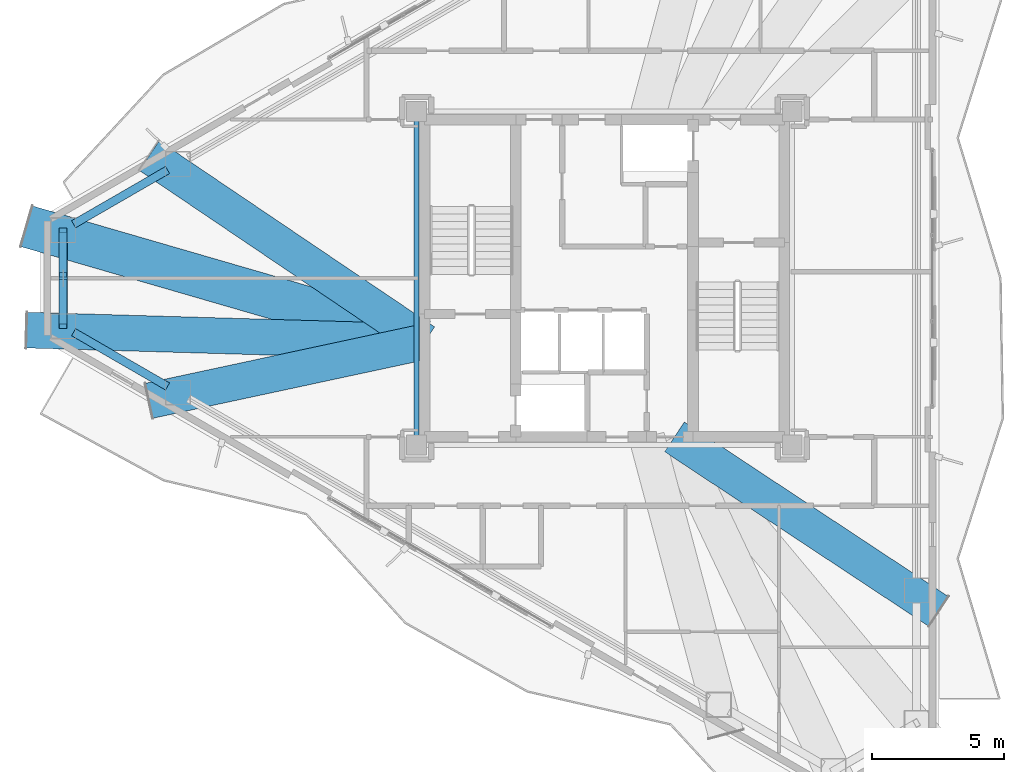
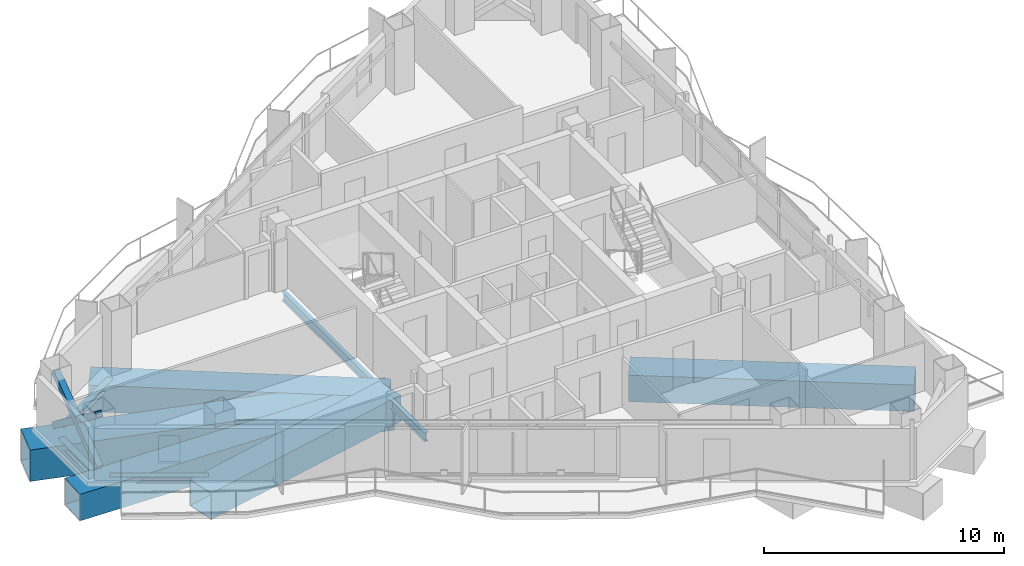
# One storey, part 7 of 22: 9 beams, 3 members.
"""IFC4 building model written with IfcOpenShell, lengths in metres."""

from ifc_helpers import new_model, si_unit, direction, frame, origin, origin_2d, place, context, subcontext, project, spatial, hollow_rectangle, i_section, extrude, material, material_profile, profile_set, type_object, element, save


model = new_model("IFC4")

# Units and contexts
model_context = context("Model", 3, precision=1e-05, world=origin(), true_north=direction((0.0, 1.0)))
body_context = subcontext(model_context, "Body", "Model", "MODEL_VIEW")
ifc_project = project(units=[si_unit("LENGTHUNIT", "METRE"), si_unit("AREAUNIT", "SQUARE_METRE"), si_unit("VOLUMEUNIT", "CUBIC_METRE"), si_unit("PLANEANGLEUNIT", "RADIAN"), si_unit("MASSUNIT", "GRAM", prefix="KILO")], contexts=[model_context])

# Site, building, storey
site_placement = place(None, origin())
site = spatial("IfcSite", under=ifc_project, at=site_placement, CompositionType="ELEMENT")
building_placement = place(site_placement, origin())
building = spatial("IfcBuilding", under=site, at=building_placement, Name="Mersakhor Tower and Convention Hall", CompositionType="ELEMENT")
storey_placement = place(building_placement, frame((0.0, 0.0, 167.39990234375)))
storey = spatial("IfcBuildingStorey", under=building, at=storey_placement, Name="L46", CompositionType="ELEMENT", Elevation=167.39990234375)

# Beams
ifc_material_1 = material(Name="Steel S355", Category="steel")
ifc_material_profile_1 = material_profile(ifc_material_1, i_section(OverallWidth=0.19140625, OverallDepth=0.4599609375, WebThickness=0.010009765625, FlangeThickness=0.01611328125, at=origin_2d()), Name="UB 457x191x82")
ifc_profile_set_1 = profile_set([ifc_material_profile_1], Name="Steel S355")
beam_type_1 = type_object("IfcBeamType", Name="BM-FB-457", PredefinedType="BEAM", material=ifc_profile_set_1)
beam_1_placement = place(storey_placement, frame((21.89990234375, 20.804931640625, -0.4599609375), z_axis=(0.0, 1.0, 0.0), x_axis=(-1.0, 0.0, 0.0)))
element("IfcBeam", 1, at=beam_1_placement, inside=storey, type_object=beam_type_1, Name="L46 Core Ring Tie Beam CRB-1", PredefinedType="BEAM", context=body_context, shape_type="SweptSolid", body=[
    extrude(i_section(OverallWidth=0.19140625, OverallDepth=0.4599609375, WebThickness=0.010009765625, FlangeThickness=0.01611328125, at=origin_2d()), origin(), (0.0, 0.0, 1.0), 11.89013671875),
])
ifc_material_2 = material(Name="Steel S355", Category="steel")
ifc_material_profile_2 = material_profile(ifc_material_2, i_section(OverallWidth=0.30908203125, OverallDepth=0.320556640625, WebThickness=0.013916015625, FlangeThickness=0.021728515625, at=origin_2d()), Name="UC 305x305x137")
ifc_profile_set_2 = profile_set([ifc_material_profile_2], Name="Steel S355")
beam_type_2 = type_object("IfcBeamType", Name="BM-SPD-UC305", PredefinedType="SPANDREL", material=ifc_profile_set_2)
for number, where, z_axis, x_axis, name in (
    (2, (8.927978515625, 28.791259765625, -0.39013671875), (0.86602202897, 0.500005845305, 0.0), (-0.500005845305, 0.86602202897, 0.0), "L46 Perimeter Spandrel Beam SPB-01"),
    (3, (12.47998046875, 22.657958984375, -0.39013671875), (-0.86602202897, 0.500005845305, 0.0), (-0.500005845305, -0.86602202897, 0.0), "L46 Perimeter Spandrel Beam SPB-11"),
):
    element("IfcBeam", number, at=place(storey_placement, frame(where, z_axis=z_axis, x_axis=x_axis)), inside=storey, type_object=beam_type_2, Name=name, PredefinedType="SPANDREL", context=body_context, shape_type="SweptSolid", body=[
        extrude(i_section(OverallWidth=0.30908203125, OverallDepth=0.320556640625, WebThickness=0.013916015625, FlangeThickness=0.021728515625, at=origin_2d()), origin(), (0.0, 0.0, 1.0), 4.1015625),
    ])
beam_2_placement = place(storey_placement, frame((8.533935546875, 25.39111328125, -0.39013671875), z_axis=(0.0, 1.0, 0.0), x_axis=(-1.0, 0.0, 0.0)))
element("IfcBeam", 4, at=beam_2_placement, inside=storey, type_object=beam_type_2, Name="L46 Perimeter Spandrel Beam SPB-12", PredefinedType="SPANDREL", context=body_context, shape_type="SweptSolid", body=[
    extrude(i_section(OverallWidth=0.30908203125, OverallDepth=0.320556640625, WebThickness=0.013916015625, FlangeThickness=0.021728515625, at=origin_2d()), origin(), (0.0, 0.0, 1.0), 2.7177734375),
])
ifc_material_3 = material(Name="Steel S460", Category="steel")
ifc_material_profile_3 = material_profile(ifc_material_3, hollow_rectangle(XDim=1.35009765625, YDim=1.35009765625, WallThickness=0.035888671875, at=origin_2d()), Name="SHS 1350x1350x36")
ifc_profile_set_3 = profile_set([ifc_material_profile_3], Name="Steel S460")
beam_type_3 = type_object("IfcBeamType", Name="BM-TR-BOX1350", PredefinedType="BEAM", material=ifc_profile_set_3)
beam_3_placement = place(storey_placement, frame((11.788330078125, 31.38427734375, -0.90478515625), z_axis=(0.828614790121, -0.559819193663, 0.0), x_axis=(0.559819193663, 0.828614790121, 0.0)))
element("IfcBeam", 5, at=beam_3_placement, inside=storey, type_object=beam_type_3, Name="L46 Taper Step Transfer Girder STG-02", PredefinedType="BEAM", context=body_context, shape_type="SweptSolid", body=[
    extrude(hollow_rectangle(XDim=1.35009765625, YDim=1.35009765625, WallThickness=0.035888671875, at=origin_2d()), origin(), (0.0, 0.0, 1.0), 12.565185546875),
])
beam_4_placement = place(storey_placement, frame((41.619140625, 14.161376953125, -0.90478515625), z_axis=(-0.834265845234, 0.55136240303, 0.0), x_axis=(-0.55136240303, -0.834265845234, 0.0)))
element("IfcBeam", 6, at=beam_4_placement, inside=storey, type_object=beam_type_3, Name="L46 Taper Step Transfer Girder STG-07", PredefinedType="BEAM", context=body_context, shape_type="SweptSolid", body=[
    extrude(hollow_rectangle(XDim=1.35009765625, YDim=1.35009765625, WallThickness=0.035888671875, at=origin_2d()), origin(), (0.0, 0.0, 1.0), 11.94970703125),
])
beam_5_placement = place(storey_placement, frame((11.788330078125, 22.11572265625, -0.90478515625), z_axis=(0.977738620984, 0.209826568945, 0.0), x_axis=(-0.209826568945, 0.977738620984, 0.0)))
element("IfcBeam", 7, at=beam_5_placement, inside=storey, type_object=beam_type_3, Name="L46 Taper Step Transfer Girder STG-11", PredefinedType="BEAM", context=body_context, shape_type="SweptSolid", body=[
    extrude(hollow_rectangle(XDim=1.35009765625, YDim=1.35009765625, WallThickness=0.035888671875, at=origin_2d()), origin(), (0.0, 0.0, 1.0), 10.648681640625),
])
beam_6_placement = place(storey_placement, frame((7.160400390625, 24.78759765625, -0.90478515625), z_axis=(0.999577155327, -0.029077664075, 0.0), x_axis=(0.029077664075, 0.999577155327, 0.0)))
element("IfcBeam", 8, at=beam_6_placement, inside=storey, type_object=beam_type_3, Name="L46 Taper Step Transfer Girder STG-12", PredefinedType="BEAM", context=body_context, shape_type="SweptSolid", body=[
    extrude(hollow_rectangle(XDim=1.35009765625, YDim=1.35009765625, WallThickness=0.035888671875, at=origin_2d()), origin(), (0.0, 0.0, 1.0), 15.0458984375),
])
ifc_material_4 = material(Name="Steel S460", Category="steel")
ifc_material_profile_4 = material_profile(ifc_material_4, hollow_rectangle(XDim=1.60009765625, YDim=1.60009765625, WallThickness=0.0400390625, at=origin_2d()), Name="SHS 1600x1600x40")
ifc_profile_set_4 = profile_set([ifc_material_profile_4], Name="Steel S460")
beam_type_4 = type_object("IfcBeamType", Name="BM-TR-BOX1600", PredefinedType="BEAM", material=ifc_profile_set_4)
beam_7_placement = place(storey_placement, frame((7.160400390625, 28.71240234375, -1.02978515625), z_axis=(0.960414874259, -0.278573633539, 0.0), x_axis=(0.278573633539, 0.960414874259, 0.0)))
element("IfcBeam", 9, at=beam_7_placement, inside=storey, type_object=beam_type_4, Name="L46 Taper Step Transfer Girder STG-01", PredefinedType="BEAM", context=body_context, shape_type="SweptSolid", body=[
    extrude(hollow_rectangle(XDim=1.60009765625, YDim=1.60009765625, WallThickness=0.0400390625, at=origin_2d()), origin(), (0.0, 0.0, 1.0), 15.659423828125),
])

# Members
ifc_material_5 = material(Name="Steel S355", Category="steel")
ifc_material_profile_5 = material_profile(ifc_material_5, hollow_rectangle(XDim=0.300048828125, YDim=0.300048828125, WallThickness=0.01611328125, at=origin_2d()), Name="SHS 300x300x16")
ifc_profile_set_5 = profile_set([ifc_material_profile_5], Name="Steel S355")
member_type = type_object("IfcMemberType", Name="MB-BRC-SHS300", PredefinedType="BRACE", material=ifc_profile_set_5)
member_placement = place(storey_placement, frame((8.533935546875, 24.936279296875, 0.150146484375), z_axis=(0.0, 0.800064612236, 0.599913840687), x_axis=(-1.0, 0.0, 0.0)))
element("IfcMember", 10, at=member_placement, inside=storey, type_object=member_type, Name="L46 Chamfer Braced Frame Diagonal CB-3A", PredefinedType="BRACE", context=body_context, shape_type="SweptSolid", body=[
    extrude(hollow_rectangle(XDim=0.300048828125, YDim=0.300048828125, WallThickness=0.01611328125, at=origin_2d()), origin(), (0.0, 0.0, 1.0), 4.533935546875),
])
for number, where, z_axis, x_axis, name in (
    (11, (8.533935546875, 28.563720703125, 0.150146484375), (0.0, -0.800069656746, 0.599907113105), (1.0, 0.0, 0.0), "L46 Chamfer Braced Frame Diagonal CB-3B Lower Half"),
    (12, (8.533935546875, 26.61865234375, 1.608642578125), (0.0, -0.800069656746, 0.599907113105), (1.0, 0.0, 0.0), "L46 Chamfer Braced Frame Diagonal CB-3B Upper Half"),
):
    element("IfcMember", number, at=place(storey_placement, frame(where, z_axis=z_axis, x_axis=x_axis)), inside=storey, type_object=member_type, Name=name, PredefinedType="BRACE", context=body_context, shape_type="SweptSolid", body=[
        extrude(hollow_rectangle(XDim=0.300048828125, YDim=0.300048828125, WallThickness=0.01611328125, at=origin_2d()), origin(), (0.0, 0.0, 1.0), 2.102783203125),
    ])

save(model, "model.ifc")
